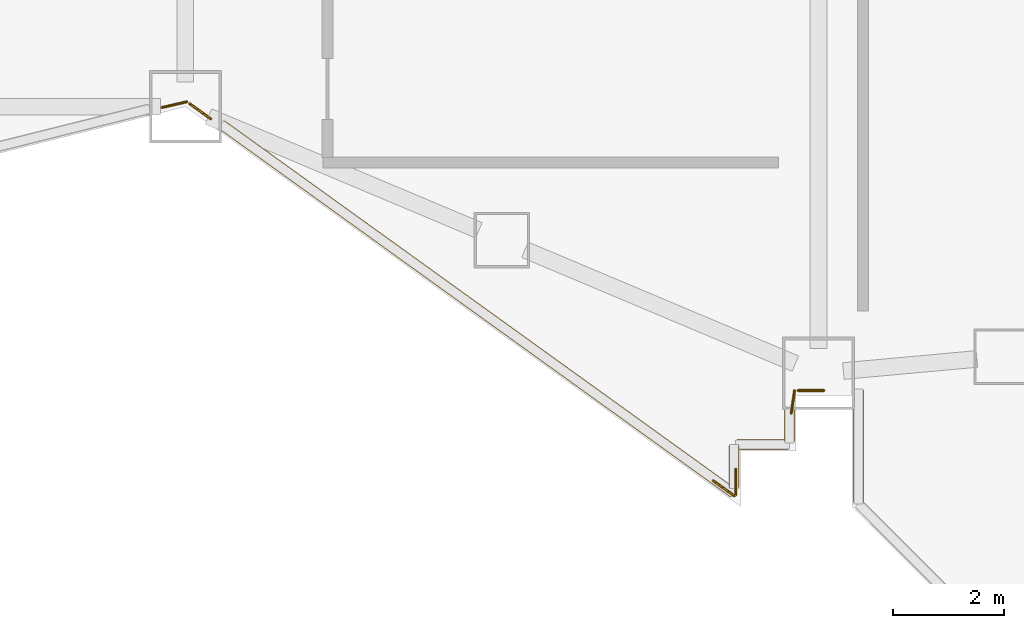
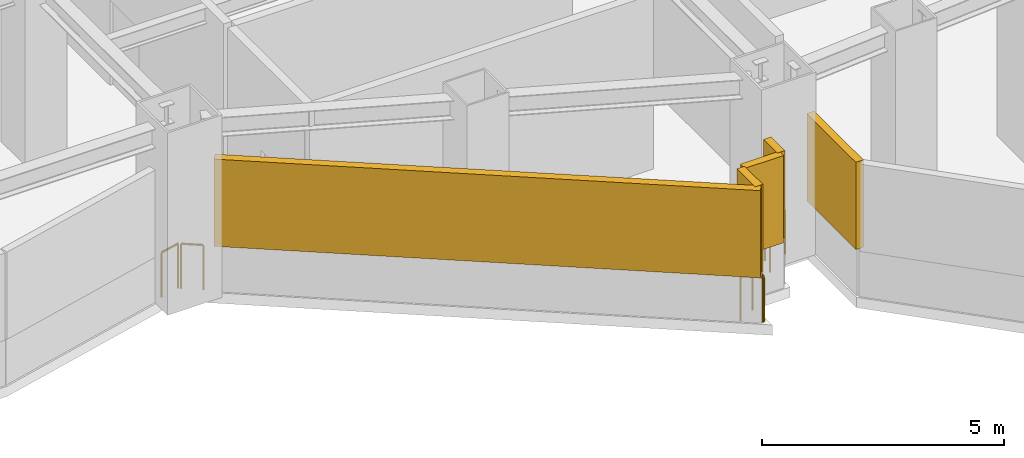
# One storey, part 8 of 12: 6 railings, 5 shading devices.
"""IFC4 building model written with IfcOpenShell, lengths in metres."""

from ifc_helpers import new_model, si_unit, direction, frame, origin, origin_2d, place, context, subcontext, project, spatial, rectangle, circle, extrude, material, type_object, element, save


model = new_model("IFC4")

# Units and contexts
model_context = context("Model", 3, precision=1e-05, world=origin(), true_north=direction((0.0, 1.0)))
body_context = subcontext(model_context, "Body", "Model", "MODEL_VIEW")
ifc_project = project(units=[si_unit("LENGTHUNIT", "METRE"), si_unit("AREAUNIT", "SQUARE_METRE"), si_unit("VOLUMEUNIT", "CUBIC_METRE"), si_unit("PLANEANGLEUNIT", "RADIAN"), si_unit("MASSUNIT", "GRAM", prefix="KILO")], contexts=[model_context])

# Site, building, storey
site_placement = place(None, origin())
site = spatial("IfcSite", under=ifc_project, at=site_placement, CompositionType="ELEMENT")
building_placement = place(site_placement, origin())
building = spatial("IfcBuilding", under=site, at=building_placement, Name="Haolan Belvedere Tower", CompositionType="ELEMENT")
storey_placement = place(building_placement, frame((0.0, 0.0, 43.0)))
storey = spatial("IfcBuildingStorey", under=building, at=storey_placement, Name="L10", CompositionType="ELEMENT", Elevation=43.0)

# Railings
ifc_material_1 = material(Name="Galvanised powder-coated steel guardrail", Category="steel")
railing_type = type_object("IfcRailingType", Name="RL-REF-GRD-1150", PredefinedType="GUARDRAIL", material=ifc_material_1)
railing_1_placement = place(storey_placement, frame((53.25830078125, 21.380859375, 0.0)))
element("IfcRailing", 1, at=railing_1_placement, inside=storey, type_object=railing_type, Name="L10 refuge corner safety guardrail 5A", PredefinedType="GUARDRAIL", context=body_context, shape_type="SweptSolid", body=[
    extrude(circle(Radius=0.02392578125, at=origin_2d()), frame((0.0, 0.0, 1.1259765625), z_axis=(-0.811445651793, 0.584427886215, 0.0), x_axis=(-0.584427886215, -0.811445651793, 0.0)), (0.0, 0.0, 1.0), 0.469970703125),
    extrude(circle(Radius=0.02099609375, at=origin_2d()), origin(), (0.0, 0.0, 1.0), 1.101806640625),
    extrude(circle(Radius=0.02099609375, at=origin_2d()), frame((-0.38134765625, 0.274658203125, 0.0)), (0.0, 0.0, 1.0), 1.101806640625),
])
railing_2_placement = place(storey_placement, frame((52.828125, 21.690673828125, 0.0)))
element("IfcRailing", 2, at=railing_2_placement, inside=storey, type_object=railing_type, Name="L10 refuge corner safety guardrail 5B", PredefinedType="GUARDRAIL", context=body_context, shape_type="SweptSolid", body=[
    extrude(circle(Radius=0.02392578125, at=origin_2d()), frame((0.0, 0.0, 1.1259765625), z_axis=(-0.974532291101, -0.224247215372, 0.0), x_axis=(0.224247215372, -0.974532291101, 0.0)), (0.0, 0.0, 1.0), 0.466064453125),
    extrude(circle(Radius=0.02099609375, at=origin_2d()), origin(), (0.0, 0.0, 1.0), 1.101806640625),
    extrude(circle(Radius=0.02099609375, at=origin_2d()), frame((-0.4541015625, -0.1044921875, 0.0)), (0.0, 0.0, 1.0), 1.101806640625),
])
railing_3_placement = place(storey_placement, frame((62.7099609375, 15.07568359375, 0.0)))
element("IfcRailing", 3, at=railing_3_placement, inside=storey, type_object=railing_type, Name="L10 refuge corner safety guardrail 6A", PredefinedType="GUARDRAIL", context=body_context, shape_type="SweptSolid", body=[
    extrude(circle(Radius=0.02392578125, at=origin_2d()), frame((0.0, 0.0, 1.1259765625), z_axis=(0.0, -1.0, 0.0), x_axis=(1.0, 0.0, 0.0)), (0.0, 0.0, 1.0), 0.469970703125),
    extrude(circle(Radius=0.02099609375, at=origin_2d()), origin(), (0.0, 0.0, 1.0), 1.101806640625),
    extrude(circle(Radius=0.02099609375, at=origin_2d()), frame((0.0, -0.469970703125, 0.0)), (0.0, 0.0, 1.0), 1.101806640625),
])
railing_4_placement = place(storey_placement, frame((62.685791015625, 14.59326171875, 0.0)))
element("IfcRailing", 4, at=railing_4_placement, inside=storey, type_object=railing_type, Name="L10 refuge corner safety guardrail 6B", PredefinedType="GUARDRAIL", context=body_context, shape_type="SweptSolid", body=[
    extrude(circle(Radius=0.02392578125, at=origin_2d()), frame((0.0, 0.0, 1.1259765625), z_axis=(-0.811622975054, 0.584181603925, 0.0), x_axis=(-0.584181603925, -0.811622975054, 0.0)), (0.0, 0.0, 1.0), 0.47021484375),
    extrude(circle(Radius=0.02099609375, at=origin_2d()), origin(), (0.0, 0.0, 1.0), 1.101806640625),
    extrude(circle(Radius=0.02099609375, at=origin_2d()), frame((-0.381591796875, 0.274658203125, 0.0)), (0.0, 0.0, 1.0), 1.101806640625),
])
railing_5_placement = place(storey_placement, frame((64.300048828125, 16.489990234375, 0.0)))
element("IfcRailing", 5, at=railing_5_placement, inside=storey, type_object=railing_type, Name="L10 refuge corner safety guardrail 7A", PredefinedType="GUARDRAIL", context=body_context, shape_type="SweptSolid", body=[
    extrude(circle(Radius=0.02392578125, at=origin_2d()), frame((0.0, 0.0, 1.1259765625), z_axis=(-1.0, 0.0, 0.0), x_axis=(0.0, -1.0, 0.0)), (0.0, 0.0, 1.0), 0.469970703125),
    extrude(circle(Radius=0.02099609375, at=origin_2d()), origin(), (0.0, 0.0, 1.0), 1.101806640625),
    extrude(circle(Radius=0.02099609375, at=origin_2d()), frame((-0.469970703125, 0.0, 0.0)), (0.0, 0.0, 1.0), 1.101806640625),
])
railing_6_placement = place(storey_placement, frame((63.77001953125, 16.489990234375, 0.0)))
element("IfcRailing", 6, at=railing_6_placement, inside=storey, type_object=railing_type, Name="L10 refuge corner safety guardrail 7B", PredefinedType="GUARDRAIL", context=body_context, shape_type="SweptSolid", body=[
    extrude(circle(Radius=0.02392578125, at=origin_2d()), frame((0.0, 0.0, 1.1259765625), z_axis=(-0.144968040024, -0.989436338211, 0.0), x_axis=(0.989436338211, -0.144968040024, 0.0)), (0.0, 0.0, 1.0), 0.414306640625),
    extrude(circle(Radius=0.02099609375, at=origin_2d()), origin(), (0.0, 0.0, 1.0), 1.101806640625),
    extrude(circle(Radius=0.02099609375, at=origin_2d()), frame((-0.06005859375, -0.409912109375, 0.0)), (0.0, 0.0, 1.0), 1.101806640625),
])

# Shading devices
ifc_material_2 = material(Name="Anodised champagne-silver aluminium 6063-T6", Category="aluminium")
shading_device_type = type_object("IfcShadingDeviceType", Name="SHD-LOUV-180", PredefinedType="JALOUSIE", material=ifc_material_2)
shading_device_1_placement = place(storey_placement, frame((58.06103515625, 17.9599609375, 1.14990234375), z_axis=(0.0, 0.0, 1.0), x_axis=(0.811533191666, -0.584306322766, 0.0)))
element("IfcShadingDevice", 7, at=shading_device_1_placement, inside=storey, type_object=shading_device_type, Name="L10 refuge storm-proof louvre bank 15.1", PredefinedType="JALOUSIE", context=body_context, shape_type="SweptSolid", body=[
    extrude(rectangle(XDim=11.34326171875, YDim=0.179931640625, at=origin_2d()), origin(), (0.0, 0.0, 1.0), 2.199951171875),
])
shading_device_2_placement = place(storey_placement, frame((62.679931640625, 15.1220703125, 1.14990234375), z_axis=(0.0, 0.0, 1.0), x_axis=(0.0, 1.0, 0.0)))
element("IfcShadingDevice", 8, at=shading_device_2_placement, inside=storey, type_object=shading_device_type, Name="L10 refuge storm-proof louvre bank 16.1", PredefinedType="JALOUSIE", context=body_context, shape_type="SweptSolid", body=[
    extrude(rectangle(XDim=0.755615234375, YDim=0.179931640625, at=origin_2d()), origin(), (0.0, 0.0, 1.0), 2.199951171875),
])
shading_device_3_placement = place(storey_placement, frame((63.195068359375, 15.52001953125, 1.14990234375), z_axis=(0.0, 0.0, 1.0), x_axis=(1.0, 0.0, 0.0)))
element("IfcShadingDevice", 9, at=shading_device_3_placement, inside=storey, type_object=shading_device_type, Name="L10 refuge storm-proof louvre bank 17.1", PredefinedType="JALOUSIE", context=body_context, shape_type="SweptSolid", body=[
    extrude(rectangle(XDim=0.929931640625, YDim=0.179931640625, at=origin_2d()), origin(), (0.0, 0.0, 1.0), 2.199951171875),
])
shading_device_4_placement = place(storey_placement, frame((63.679931640625, 15.85400390625, 1.14990234375), z_axis=(0.0, 0.0, 1.0), x_axis=(0.0, 1.0, 0.0)))
element("IfcShadingDevice", 10, at=shading_device_4_placement, inside=storey, type_object=shading_device_type, Name="L10 refuge storm-proof louvre bank 18.1", PredefinedType="JALOUSIE", context=body_context, shape_type="SweptSolid", body=[
    extrude(rectangle(XDim=0.568115234375, YDim=0.179931640625, at=origin_2d()), origin(), (0.0, 0.0, 1.0), 2.199951171875),
])
shading_device_5_placement = place(storey_placement, frame((64.919921875, 15.48486328125, 1.14990234375), z_axis=(0.0, 0.0, 1.0), x_axis=(0.0, -1.0, 0.0)))
element("IfcShadingDevice", 11, at=shading_device_5_placement, inside=storey, type_object=shading_device_type, Name="L10 refuge storm-proof louvre bank 20.1", PredefinedType="JALOUSIE", context=body_context, shape_type="SweptSolid", body=[
    extrude(rectangle(XDim=2.0302734375, YDim=0.179931640625, at=origin_2d()), origin(), (0.0, 0.0, 1.0), 2.199951171875),
])

save(model, "model.ifc")
